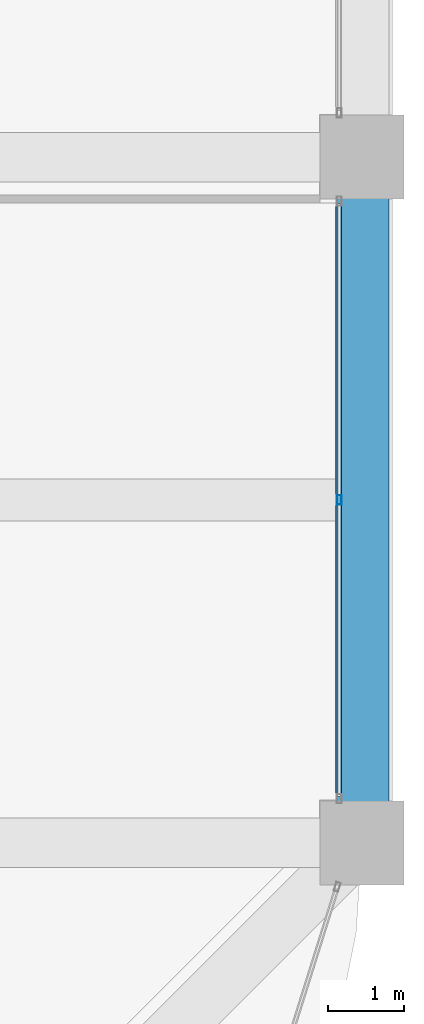
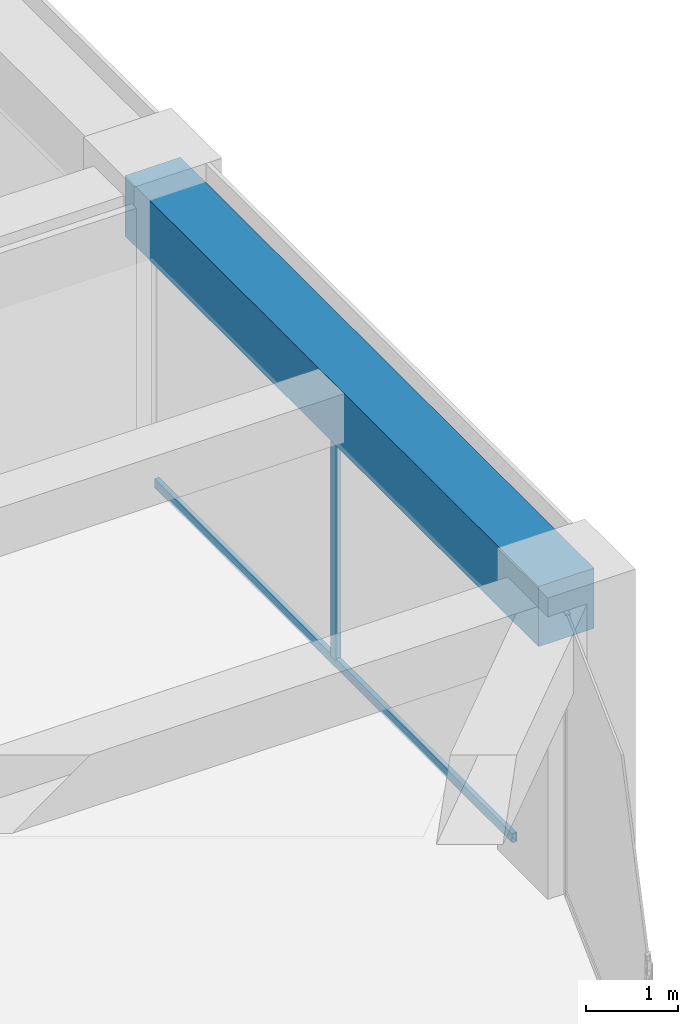
# One storey, part 23 of 44: 2 members, 1 beam, 1 element without a shape of its own.
"""IFC4 building model written with IfcOpenShell, lengths in metres."""

from ifc_helpers import new_model, si_unit, direction, frame, origin, origin_2d, place, context, subcontext, project, spatial, rectangle, hollow_rectangle, extrude, material, material_profile, profile_set, type_object, element, aggregate, save


model = new_model("IFC4")

# Units and contexts
model_context = context("Model", 3, precision=1e-05, world=origin(), true_north=direction((0.0, 1.0)))
body_context = subcontext(model_context, "Body", "Model", "MODEL_VIEW")
ifc_project = project(units=[si_unit("LENGTHUNIT", "METRE"), si_unit("AREAUNIT", "SQUARE_METRE"), si_unit("VOLUMEUNIT", "CUBIC_METRE"), si_unit("PLANEANGLEUNIT", "RADIAN"), si_unit("MASSUNIT", "GRAM", prefix="KILO")], contexts=[model_context])

# Site, building, storey
site_placement = place(None, origin())
site = spatial("IfcSite", under=ifc_project, at=site_placement, CompositionType="ELEMENT")
building_placement = place(site_placement, origin())
building = spatial("IfcBuilding", under=site, at=building_placement, Name="Zorevar Civic Tower", CompositionType="ELEMENT")
storey_placement = place(building_placement, frame((0.0, 0.0, 283.39990234375)))
storey = spatial("IfcBuildingStorey", under=building, at=storey_placement, Name="L69", CompositionType="ELEMENT", Elevation=283.39990234375)

# Curtain wall, members
ifc_material_1 = material(Name="Dark grey solar-control glass in black aluminium frame", Category="aluminium")
curtain_wall_type = type_object("IfcCurtainWallType", Name="Curtain wall CW5 top zone", PredefinedType="NOTDEFINED", material=ifc_material_1)
curtain_wall_placement = place(storey_placement, origin())
curtain_wall = element("IfcCurtainWall", 1, at=curtain_wall_placement, inside=storey, type_object=curtain_wall_type, Name="CW5 L69", PredefinedType="NOTDEFINED")
ifc_material_2 = material(Name="Aluminium, black anodised", Category="aluminium")
ifc_material_profile_1 = material_profile(ifc_material_2, hollow_rectangle(XDim=0.06005859375, YDim=0.1201171875, WallThickness=0.0029296875, at=origin_2d()), Name="AL 120x60x3")
ifc_profile_set_1 = profile_set([ifc_material_profile_1], Name="Aluminium, black anodised")
member_type_1 = type_object("IfcMemberType", Name="CW5 mullion AL 120x60x3", PredefinedType="MULLION", material=ifc_profile_set_1)
member_1_placement = place(storey_placement, frame((53.699951171875, 13.5, 0.06005859375), z_axis=(0.0, 0.0, 1.0), x_axis=(-1.0, 0.0, 0.0)))
member_1 = element("IfcMember", 2, at=member_1_placement, type_object=member_type_1, Name="CW5 mullion 2", PredefinedType="MULLION", context=body_context, shape_type="SweptSolid", body=[
    extrude(hollow_rectangle(XDim=0.06005859375, YDim=0.1201171875, WallThickness=0.0029296875, at=origin_2d()), origin(), (0.0, 0.0, 1.0), 2.89013671875),
])
ifc_material_3 = material(Name="Aluminium, black anodised", Category="aluminium")
ifc_material_profile_2 = material_profile(ifc_material_3, hollow_rectangle(XDim=0.06005859375, YDim=0.1201171875, WallThickness=0.0029296875, at=origin_2d()), Name="AL 120x60x3")
ifc_profile_set_2 = profile_set([ifc_material_profile_2], Name="Aluminium, black anodised")
member_type_2 = type_object("IfcMemberType", Name="CW5 transom AL 120x60x3", PredefinedType="USERDEFINED", material=ifc_profile_set_2)
member_2_placement = place(storey_placement, frame((53.699951171875, 9.610107421875, 0.030029296875), z_axis=(0.0, 1.0, 0.0), x_axis=(-1.0, 0.0, 0.0)))
member_2 = element("IfcMember", 3, at=member_2_placement, type_object=member_type_2, Name="CW5 sill transom", ObjectType="TRANSOM", PredefinedType="USERDEFINED", context=body_context, shape_type="SweptSolid", body=[
    extrude(hollow_rectangle(XDim=0.06005859375, YDim=0.1201171875, WallThickness=0.0029296875, at=origin_2d()), origin(), (0.0, 0.0, 1.0), 7.77978515625),
])
aggregate(curtain_wall, [member_1, member_2])

# Beam
ifc_material_4 = material(Name="Concrete C50/60", Category="concrete")
ifc_material_profile_3 = material_profile(ifc_material_4, rectangle(XDim=0.699951171875, YDim=0.800048828125, at=origin_2d()), Name="RC 700x800")
ifc_profile_set_3 = profile_set([ifc_material_profile_3], Name="Concrete C50/60")
beam_type = type_object("IfcBeamType", Name="Edge beam RC 700x800", PredefinedType="SPANDREL", material=ifc_profile_set_3)
beam_placement = place(storey_placement, frame((54.0, 9.0, 3.35009765625), z_axis=(0.0, 1.0, 0.0), x_axis=(-1.0, 0.0, 0.0)))
element("IfcBeam", 4, at=beam_placement, inside=storey, type_object=beam_type, Name="Edge beam L70", PredefinedType="SPANDREL", context=body_context, shape_type="SweptSolid", body=[
    extrude(rectangle(XDim=0.699951171875, YDim=0.800048828125, at=origin_2d()), origin(), (0.0, 0.0, 1.0), 9.0),
])

save(model, "model.ifc")
